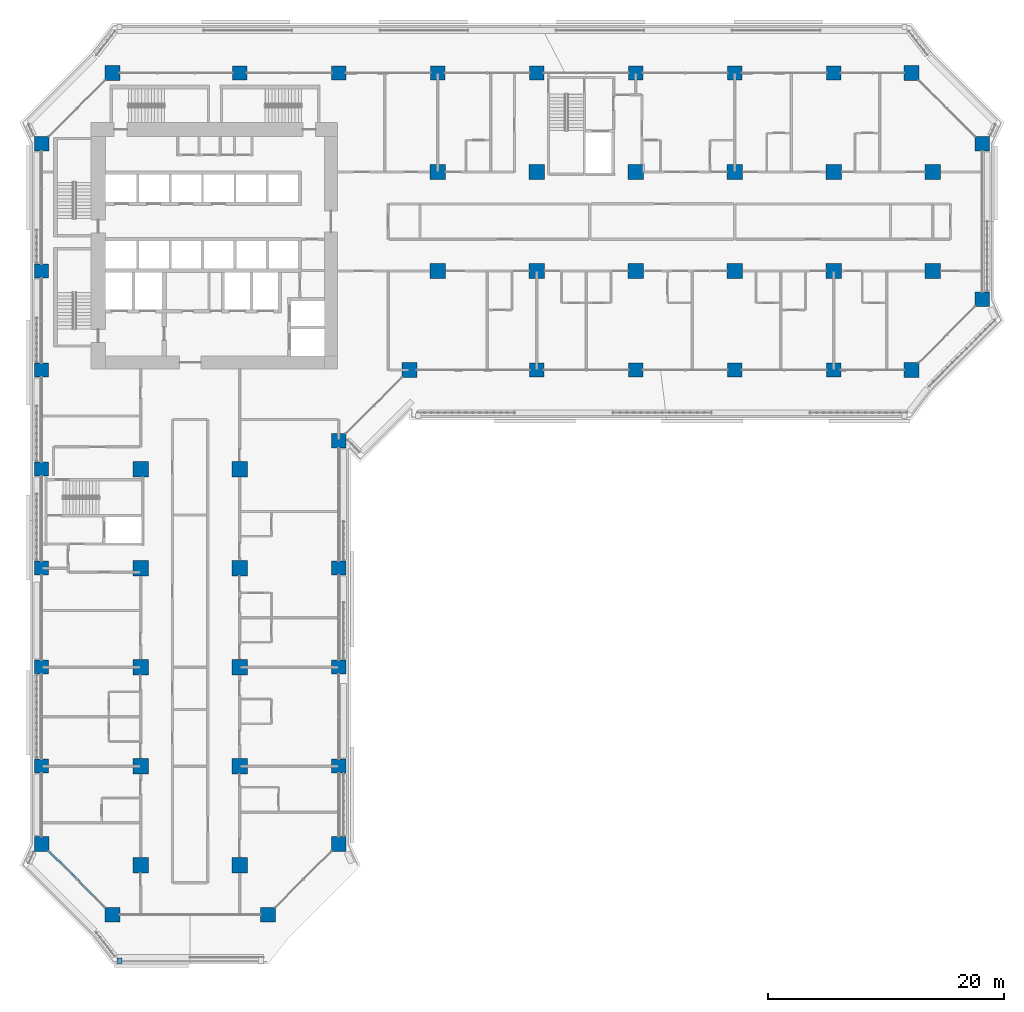
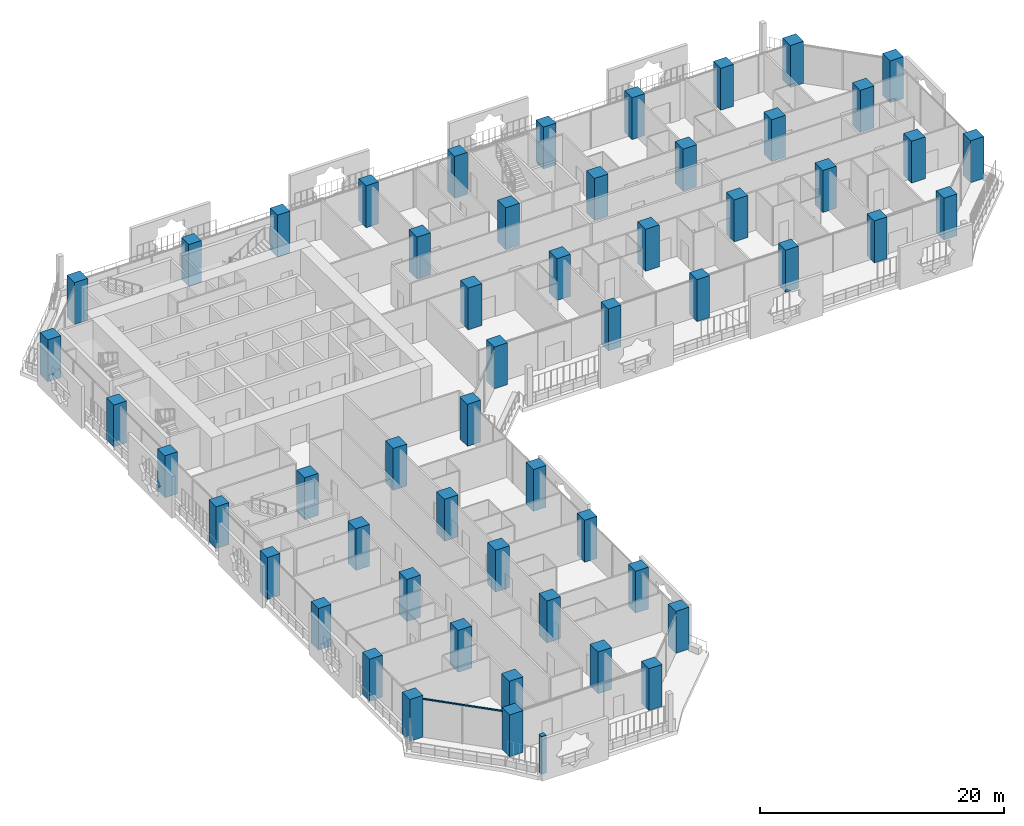
# One storey, part 1 of 28: 54 columns, 2 members, 2 elements without a shape of their own.
"""IFC4 building model written with IfcOpenShell, lengths in metres."""

from ifc_helpers import new_model, si_unit, direction, frame, origin, origin_2d, place, context, subcontext, project, spatial, rectangle, extrude, material, layer, layer_set, material_profile, profile_set, type_object, element, aggregate, save


model = new_model("IFC4")

# Units and contexts
model_context = context("Model", 3, precision=1e-05, world=origin(), true_north=direction((0.0, 1.0)))
body_context = subcontext(model_context, "Body", "Model", "MODEL_VIEW")
ifc_project = project(units=[si_unit("LENGTHUNIT", "METRE"), si_unit("AREAUNIT", "SQUARE_METRE"), si_unit("VOLUMEUNIT", "CUBIC_METRE"), si_unit("PLANEANGLEUNIT", "RADIAN"), si_unit("MASSUNIT", "GRAM", prefix="KILO")], contexts=[model_context])

# Site, building, storey
site_placement = place(None, origin())
site = spatial("IfcSite", under=ifc_project, at=site_placement, CompositionType="ELEMENT")
building_placement = place(site_placement, origin())
building = spatial("IfcBuilding", under=site, at=building_placement, Name="Kawkab Arch Medical Tower", CompositionType="ELEMENT")
storey_placement = place(building_placement, frame((0.0, 0.0, 72.800048828125)))
storey = spatial("IfcBuildingStorey", under=building, at=storey_placement, Name="L16", CompositionType="ELEMENT", Elevation=72.800048828125)

# Columns
ifc_material_1 = material(Name="Concrete C60/75", Category="concrete")
ifc_material_profile_1 = material_profile(ifc_material_1, rectangle(XDim=1.199951171875, YDim=1.199951171875, at=origin_2d()), Name="RC 1200x1200")
ifc_profile_set_1 = profile_set([ifc_material_profile_1], Name="Concrete C60/75")
column_type_1 = type_object("IfcColumnType", Name="RC 1200x1200 column C60/75", PredefinedType="COLUMN", material=ifc_profile_set_1)
for number, where, z_axis, x_axis, name in (
    (1, (16.800048828125, 0.0, 0.0), (0.0, 0.0, 1.0), (1.0, 0.0, 0.0), "Column RC 1200x1200"),
    (2, (25.199951171875, 0.0, 0.0), (0.0, 0.0, 1.0), (1.0, 0.0, 0.0), "Column RC 1200x1200"),
    (3, (33.60009765625, 0.0, 0.0), (0.0, 0.0, 1.0), (1.0, 0.0, 0.0), "Column RC 1200x1200"),
    (4, (42.0, 0.0, 0.0), (0.0, 0.0, 1.0), (1.0, 0.0, 0.0), "Column RC 1200x1200"),
    (5, (50.39990234375, 0.0, 0.0), (0.0, 0.0, 1.0), (1.0, 0.0, 0.0), "Column RC 1200x1200"),
    (6, (58.800048828125, 0.0, 0.0), (0.0, 0.0, 1.0), (1.0, 0.0, 0.0), "Column RC 1200x1200"),
    (7, (67.199951171875, 0.0, 0.0), (0.0, 0.0, 1.0), (1.0, 0.0, 0.0), "Column RC 1200x1200"),
    (8, (0.0, -16.800048828125, 0.0), (0.0, 0.0, 1.0), (1.0, 0.0, 0.0), "Column RC 1200x1200"),
    (9, (0.0, -25.199951171875, 0.0), (0.0, 0.0, 1.0), (1.0, 0.0, 0.0), "Column RC 1200x1200"),
    (10, (42.0, -25.199951171875, 0.0), (0.0, 0.0, 1.0), (1.0, 0.0, 0.0), "Column RC 1200x1200"),
    (11, (50.39990234375, -25.199951171875, 0.0), (0.0, 0.0, 1.0), (1.0, 0.0, 0.0), "Column RC 1200x1200"),
    (12, (58.800048828125, -25.199951171875, 0.0), (0.0, 0.0, 1.0), (1.0, 0.0, 0.0), "Column RC 1200x1200"),
    (13, (67.199951171875, -25.199951171875, 0.0), (0.0, 0.0, 1.0), (1.0, 0.0, 0.0), "Column RC 1200x1200"),
    (14, (0.0, -33.60009765625, 0.0), (0.0, 0.0, 1.0), (1.0, 0.0, 0.0), "Column RC 1200x1200"),
    (15, (0.0, -42.0, 0.0), (0.0, 0.0, 1.0), (1.0, 0.0, 0.0), "Column RC 1200x1200"),
    (16, (25.199951171875, -42.0, 0.0), (0.0, 0.0, 1.0), (1.0, 0.0, 0.0), "Column RC 1200x1200"),
    (17, (0.0, -50.39990234375, 0.0), (0.0, 0.0, 1.0), (1.0, 0.0, 0.0), "Column RC 1200x1200"),
    (18, (25.199951171875, -50.39990234375, 0.0), (0.0, 0.0, 1.0), (1.0, 0.0, 0.0), "Column RC 1200x1200"),
    (19, (0.0, -58.800048828125, 0.0), (0.0, 0.0, 1.0), (1.0, 0.0, 0.0), "Column RC 1200x1200"),
    (20, (25.199951171875, -58.800048828125, 0.0), (0.0, 0.0, 1.0), (1.0, 0.0, 0.0), "Column RC 1200x1200"),
):
    element("IfcColumn", number, at=place(storey_placement, frame(where, z_axis=z_axis, x_axis=x_axis)), inside=storey, type_object=column_type_1, Name=name, PredefinedType="COLUMN", context=body_context, shape_type="SweptSolid", body=[
        extrude(rectangle(XDim=1.199951171875, YDim=1.199951171875, at=origin_2d()), origin(), (0.0, 0.0, 1.0), 4.199951171875),
    ])
ifc_material_2 = material(Name="Concrete C60/75", Category="concrete")
ifc_material_profile_2 = material_profile(ifc_material_2, rectangle(XDim=1.25, YDim=1.25, at=origin_2d()), Name="RC 1250x1250")
ifc_profile_set_2 = profile_set([ifc_material_profile_2], Name="Concrete C60/75")
column_type_2 = type_object("IfcColumnType", Name="RC 1250x1250 column C60/75", PredefinedType="COLUMN", material=ifc_profile_set_2)
for number, where, z_axis, x_axis, name in (
    (21, (6.0, 0.0, 0.0), (0.0, 0.0, 1.0), (1.0, 0.0, 0.0), "Column RC 1250x1250"),
    (22, (73.800048828125, 0.0, 0.0), (0.0, 0.0, 1.0), (1.0, 0.0, 0.0), "Column RC 1250x1250"),
    (23, (0.0, -6.0, 0.0), (0.0, 0.0, 1.0), (1.0, 0.0, 0.0), "Column RC 1250x1250"),
    (24, (79.800048828125, -6.0, 0.0), (0.0, 0.0, 1.0), (1.0, 0.0, 0.0), "Column RC 1250x1250"),
    (25, (79.800048828125, -19.199951171875, 0.0), (0.0, 0.0, 1.0), (1.0, 0.0, 0.0), "Column RC 1250x1250"),
    (26, (31.199951171875, -25.199951171875, 0.0), (0.0, 0.0, 1.0), (1.0, 0.0, 0.0), "Column RC 1250x1250"),
    (27, (73.800048828125, -25.199951171875, 0.0), (0.0, 0.0, 1.0), (1.0, 0.0, 0.0), "Column RC 1250x1250"),
    (28, (25.199951171875, -31.199951171875, 0.0), (0.0, 0.0, 1.0), (1.0, 0.0, 0.0), "Column RC 1250x1250"),
    (29, (0.0, -65.39990234375, 0.0), (0.0, 0.0, 1.0), (1.0, 0.0, 0.0), "Column RC 1250x1250"),
    (30, (25.199951171875, -65.39990234375, 0.0), (0.0, 0.0, 1.0), (1.0, 0.0, 0.0), "Column RC 1250x1250"),
    (31, (6.0, -71.39990234375, 0.0), (0.0, 0.0, 1.0), (1.0, 0.0, 0.0), "Column RC 1250x1250"),
    (32, (19.199951171875, -71.39990234375, 0.0), (0.0, 0.0, 1.0), (1.0, 0.0, 0.0), "Column RC 1250x1250"),
):
    element("IfcColumn", number, at=place(storey_placement, frame(where, z_axis=z_axis, x_axis=x_axis)), inside=storey, type_object=column_type_2, Name=name, PredefinedType="COLUMN", context=body_context, shape_type="SweptSolid", body=[
        extrude(rectangle(XDim=1.25, YDim=1.25, at=origin_2d()), origin(), (0.0, 0.0, 1.0), 4.199951171875),
    ])
ifc_material_3 = material(Name="Concrete C60/75", Category="concrete")
ifc_material_profile_3 = material_profile(ifc_material_3, rectangle(XDim=1.300048828125, YDim=1.300048828125, at=origin_2d()), Name="RC 1300x1300")
ifc_profile_set_3 = profile_set([ifc_material_profile_3], Name="Concrete C60/75")
column_type_3 = type_object("IfcColumnType", Name="RC 1300x1300 column C60/75", PredefinedType="COLUMN", material=ifc_profile_set_3)
for number, where, z_axis, x_axis, name in (
    (33, (33.60009765625, -8.39990234375, 0.0), (0.0, 0.0, 1.0), (1.0, 0.0, 0.0), "Column RC 1300x1300"),
    (34, (42.0, -8.39990234375, 0.0), (0.0, 0.0, 1.0), (1.0, 0.0, 0.0), "Column RC 1300x1300"),
    (35, (50.39990234375, -8.39990234375, 0.0), (0.0, 0.0, 1.0), (1.0, 0.0, 0.0), "Column RC 1300x1300"),
    (36, (58.800048828125, -8.39990234375, 0.0), (0.0, 0.0, 1.0), (1.0, 0.0, 0.0), "Column RC 1300x1300"),
    (37, (67.199951171875, -8.39990234375, 0.0), (0.0, 0.0, 1.0), (1.0, 0.0, 0.0), "Column RC 1300x1300"),
    (38, (75.60009765625, -8.39990234375, 0.0), (0.0, 0.0, 1.0), (1.0, 0.0, 0.0), "Column RC 1300x1300"),
    (39, (33.60009765625, -16.800048828125, 0.0), (0.0, 0.0, 1.0), (1.0, 0.0, 0.0), "Column RC 1300x1300"),
    (40, (42.0, -16.800048828125, 0.0), (0.0, 0.0, 1.0), (1.0, 0.0, 0.0), "Column RC 1300x1300"),
    (41, (50.39990234375, -16.800048828125, 0.0), (0.0, 0.0, 1.0), (1.0, 0.0, 0.0), "Column RC 1300x1300"),
    (42, (58.800048828125, -16.800048828125, 0.0), (0.0, 0.0, 1.0), (1.0, 0.0, 0.0), "Column RC 1300x1300"),
    (43, (67.199951171875, -16.800048828125, 0.0), (0.0, 0.0, 1.0), (1.0, 0.0, 0.0), "Column RC 1300x1300"),
    (44, (75.60009765625, -16.800048828125, 0.0), (0.0, 0.0, 1.0), (1.0, 0.0, 0.0), "Column RC 1300x1300"),
    (45, (8.39990234375, -33.60009765625, 0.0), (0.0, 0.0, 1.0), (1.0, 0.0, 0.0), "Column RC 1300x1300"),
    (46, (16.800048828125, -33.60009765625, 0.0), (0.0, 0.0, 1.0), (1.0, 0.0, 0.0), "Column RC 1300x1300"),
    (47, (8.39990234375, -42.0, 0.0), (0.0, 0.0, 1.0), (1.0, 0.0, 0.0), "Column RC 1300x1300"),
    (48, (16.800048828125, -42.0, 0.0), (0.0, 0.0, 1.0), (1.0, 0.0, 0.0), "Column RC 1300x1300"),
    (49, (8.39990234375, -50.39990234375, 0.0), (0.0, 0.0, 1.0), (1.0, 0.0, 0.0), "Column RC 1300x1300"),
    (50, (16.800048828125, -50.39990234375, 0.0), (0.0, 0.0, 1.0), (1.0, 0.0, 0.0), "Column RC 1300x1300"),
    (51, (8.39990234375, -58.800048828125, 0.0), (0.0, 0.0, 1.0), (1.0, 0.0, 0.0), "Column RC 1300x1300"),
    (52, (16.800048828125, -58.800048828125, 0.0), (0.0, 0.0, 1.0), (1.0, 0.0, 0.0), "Column RC 1300x1300"),
    (53, (8.39990234375, -67.199951171875, 0.0), (0.0, 0.0, 1.0), (1.0, 0.0, 0.0), "Column RC 1300x1300"),
    (54, (16.800048828125, -67.199951171875, 0.0), (0.0, 0.0, 1.0), (1.0, 0.0, 0.0), "Column RC 1300x1300"),
):
    element("IfcColumn", number, at=place(storey_placement, frame(where, z_axis=z_axis, x_axis=x_axis)), inside=storey, type_object=column_type_3, Name=name, PredefinedType="COLUMN", context=body_context, shape_type="SweptSolid", body=[
        extrude(rectangle(XDim=1.300048828125, YDim=1.300048828125, at=origin_2d()), origin(), (0.0, 0.0, 1.0), 4.199951171875),
    ])

# Curtain wall, member
ifc_material_4 = material(Name="Bronze anodised aluminium curtain wall frame", Category="aluminium")
ifc_layer_1 = layer(ifc_material_4, 0.159912109375)
ifc_layer_set_1 = layer_set([ifc_layer_1], Name="Bronze anodised aluminium curtain wall frame")
curtain_wall_type_1 = type_object("IfcCurtainWallType", Name="CW2 chamfer curtain wall", PredefinedType="NOTDEFINED", material=ifc_layer_set_1)
placement = place(storey_placement, origin())
curtain_wall_1 = element("IfcCurtainWall", 55, at=placement, inside=storey, type_object=curtain_wall_type_1, Name="CW2 Chamfer curtain wall R02", PredefinedType="NOTDEFINED")
ifc_material_5 = material(Name="Bronze anodised aluminium curtain wall frame", Category="aluminium")
ifc_material_profile_4 = material_profile(ifc_material_5, rectangle(XDim=0.06005859375, YDim=0.139892578125, at=origin_2d()), Name="AL 60x140")
ifc_profile_set_4 = profile_set([ifc_material_profile_4], Name="Bronze anodised aluminium curtain wall frame")
member_type_1 = type_object("IfcMemberType", Name="CW2 transom 140 x 60", PredefinedType="USERDEFINED", material=ifc_profile_set_4)
member_1_placement = place(storey_placement, frame((0.625, -66.02490234375, 3.829833984375), z_axis=(0.707106781187, -0.707106781187, 0.0), x_axis=(0.707106781187, 0.707106781187, 0.0)))
member_1 = element("IfcMember", 56, at=member_1_placement, type_object=member_type_1, Name="CW2 transom 1", ObjectType="TRANSOM", PredefinedType="USERDEFINED", context=body_context, shape_type="SweptSolid", body=[
    extrude(rectangle(XDim=0.06005859375, YDim=0.139892578125, at=origin_2d()), origin(), (0.0, 0.0, 1.0), 6.717529296875),
])
aggregate(curtain_wall_1, [member_1])

ifc_material_6 = material(Name="Bronze anodised aluminium climber frame, planted", Category="aluminium")
ifc_layer_2 = layer(ifc_material_6, 0.449951171875)
ifc_layer_set_2 = layer_set([ifc_layer_2], Name="Bronze anodised aluminium climber frame, planted")
curtain_wall_type_2 = type_object("IfcCurtainWallType", Name="Planted climber frame", PredefinedType="NOTDEFINED", material=ifc_layer_set_2)
curtain_wall_2 = element("IfcCurtainWall", 57, at=placement, inside=storey, type_object=curtain_wall_type_2, Name="Planted climber frame L16", PredefinedType="NOTDEFINED")
ifc_material_7 = material(Name="Bronze anodised aluminium climber frame, planted", Category="aluminium")
ifc_material_profile_5 = material_profile(ifc_material_7, rectangle(XDim=0.449951171875, YDim=0.449951171875, at=origin_2d()), Name="Post 450x450")
ifc_profile_set_5 = profile_set([ifc_material_profile_5], Name="Bronze anodised aluminium climber frame, planted")
member_type_2 = type_object("IfcMemberType", Name="Planted climber post 450 x 450", PredefinedType="MULLION", material=ifc_profile_set_5)
member_2_placement = place(storey_placement, frame((6.596923828125, -75.300048828125, 0.0), z_axis=(0.0, 0.0, 1.0), x_axis=(1.0, 0.0, 0.0)))
member_2 = element("IfcMember", 58, at=member_2_placement, type_object=member_type_2, Name="Planted climber post L16.LOG-01-01.2", PredefinedType="MULLION", context=body_context, shape_type="SweptSolid", body=[
    extrude(rectangle(XDim=0.449951171875, YDim=0.449951171875, at=origin_2d()), origin(), (0.0, 0.0, 1.0), 3.800048828125),
])
aggregate(curtain_wall_2, [member_2])

save(model, "model.ifc")
